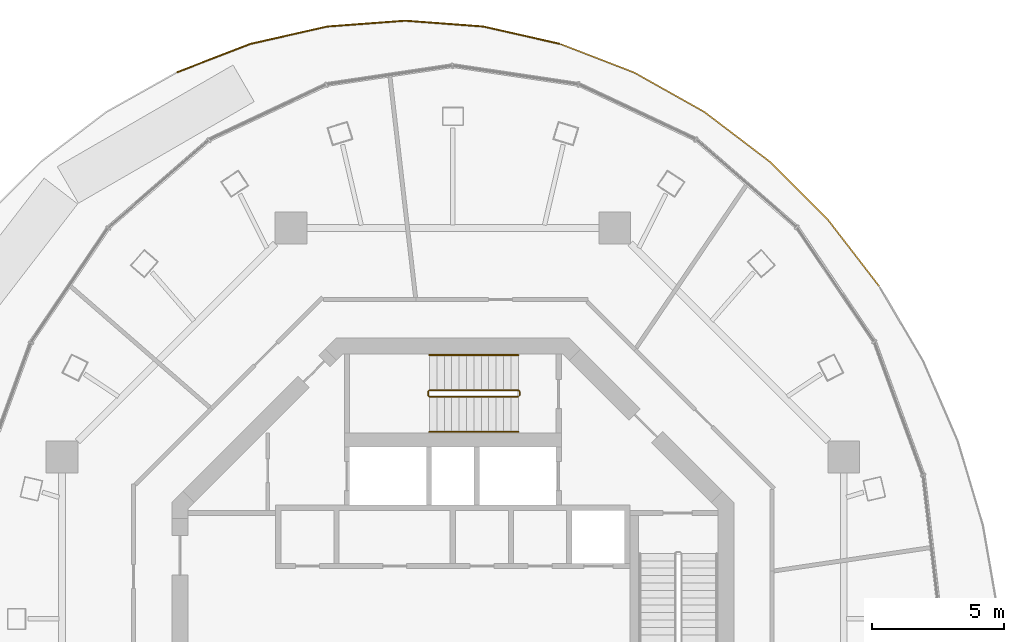
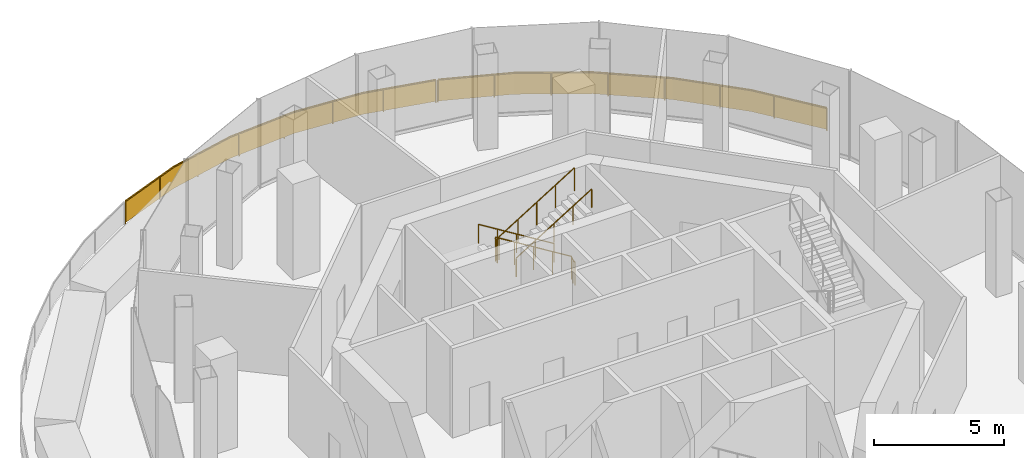
# One storey, part 11 of 12: 5 railings.
"""IFC4 building model written with IfcOpenShell, lengths in metres."""

from ifc_helpers import new_model, si_unit, direction, frame, origin, origin_2d, place, context, subcontext, project, spatial, polyline, rectangle, circle, outline, extrude, material, type_object, element, save


model = new_model("IFC4")

# Units and contexts
model_context = context("Model", 3, precision=1e-05, world=origin(), true_north=direction((0.0, 1.0)))
body_context = subcontext(model_context, "Body", "Model", "MODEL_VIEW")
ifc_project = project(units=[si_unit("LENGTHUNIT", "METRE"), si_unit("AREAUNIT", "SQUARE_METRE"), si_unit("VOLUMEUNIT", "CUBIC_METRE"), si_unit("PLANEANGLEUNIT", "RADIAN"), si_unit("MASSUNIT", "GRAM", prefix="KILO")], contexts=[model_context])

# Site, building, storey
site_placement = place(None, origin())
site = spatial("IfcSite", under=ifc_project, at=site_placement, CompositionType="ELEMENT")
building_placement = place(site_placement, origin())
building = spatial("IfcBuilding", under=site, at=building_placement, Name="Nagisa Residences", CompositionType="ELEMENT")
storey_placement = place(building_placement, frame((0.0, 0.0, 315.89990234375)))
storey = spatial("IfcBuildingStorey", under=building, at=storey_placement, Name="L78", CompositionType="ELEMENT", Elevation=315.89990234375)

# Railings
ifc_material_1 = material(Name="Stainless steel 316", Category="steel")
railing_type_1 = type_object("IfcRailingType", Name="ROOF GUARD 1100", PredefinedType="GUARDRAIL", material=ifc_material_1)
railing_1_placement = place(storey_placement, frame((16.121337890625, 12.58349609375, 0.0)))
element("IfcRailing", 1, at=railing_1_placement, inside=storey, type_object=railing_type_1, Name="guard:L78:garden01", PredefinedType="GUARDRAIL", context=body_context, shape_type="SweptSolid", body=[
    extrude(outline(polyline([(-1.9453125, 2.483154296875), (-0.019775390625, -0.015380859375), (0.019775390625, 0.015380859375), (-1.90771484375, 2.516357421875), (-4.134521484375, 4.738525390625), (-6.59765625, 6.611328125), (-9.25439453125, 8.102294921875), (-12.0205078125, 9.170654296875), (-12.03857421875, 9.123779296875), (-9.27587890625, 8.056884765625), (-6.625, 6.5693359375), (-4.167724609375, 4.700927734375), (-1.9453125, 2.483154296875)])), frame((0.0, 0.0, 1.050048828125)), (0.0, 0.0, 1.0), 0.050048828125),
    extrude(outline(polyline([(-1.931884765625, 2.4951171875), (-0.005615234375, -0.00439453125), (0.005615234375, 0.00439453125), (-1.921142578125, 2.50439453125), (-4.146484375, 4.72509765625), (-6.607421875, 6.59619140625), (-9.26220703125, 8.0859375), (-12.027099609375, 9.15380859375), (-12.031982421875, 9.140625), (-9.26806640625, 8.0732421875), (-6.615234375, 6.58447265625), (-4.15576171875, 4.71435546875), (-1.931884765625, 2.4951171875)])), frame((0.0, 0.0, 0.06005859375)), (0.0, 0.0, 1.0), 0.989990234375),
    extrude(rectangle(XDim=0.0400390625, YDim=0.0400390625, at=origin_2d()), origin(), (0.0, 0.0, 1.0), 1.050048828125),
    extrude(rectangle(XDim=0.0400390625, YDim=0.0400390625, at=origin_2d()), frame((-1.342529296875, 1.7421875, 0.0)), (0.0, 0.0, 1.0), 1.050048828125),
    extrude(rectangle(XDim=0.0400390625, YDim=0.0400390625, at=origin_2d()), frame((-2.80615234375, 3.377685546875, 0.0)), (0.0, 0.0, 1.0), 1.050048828125),
    extrude(rectangle(XDim=0.0400390625, YDim=0.0400390625, at=origin_2d()), frame((-4.389404296875, 4.90087890625, 0.0)), (0.0, 0.0, 1.0), 1.050048828125),
    extrude(rectangle(XDim=0.0400390625, YDim=0.0400390625, at=origin_2d()), frame((-6.140380859375, 6.232177734375, 0.0)), (0.0, 0.0, 1.0), 1.050048828125),
    extrude(rectangle(XDim=0.0400390625, YDim=0.0400390625, at=origin_2d()), frame((-8.013427734375, 7.377197265625, 0.0)), (0.0, 0.0, 1.0), 1.050048828125),
    extrude(rectangle(XDim=0.0400390625, YDim=0.0400390625, at=origin_2d()), frame((-9.977783203125, 8.354736328125, 0.0)), (0.0, 0.0, 1.0), 1.050048828125),
    extrude(rectangle(XDim=0.0400390625, YDim=0.0400390625, at=origin_2d()), frame((-12.029541015625, 9.147216796875, 0.0)), (0.0, 0.0, 1.0), 1.050048828125),
])
railing_2_placement = place(storey_placement, frame((4.015380859375, 21.754150390625, 0.0)))
element("IfcRailing", 2, at=railing_2_placement, inside=storey, type_object=railing_type_1, Name="guard:L78:garden02", PredefinedType="GUARDRAIL", context=body_context, shape_type="SweptSolid", body=[
    extrude(outline(polyline([(-2.866455078125, 0.623046875), (-0.005615234375, -0.0244140625), (0.005615234375, 0.0244140625), (-2.859130859375, 0.6728515625), (-5.8154296875, 0.893310546875), (-8.771484375, 0.6728515625), (-11.67724609375, 0.01513671875), (-14.443359375, -1.05322265625), (-14.42529296875, -1.10009765625), (-11.66259765625, -0.03271484375), (-8.76416015625, 0.623046875), (-5.8154296875, 0.843017578125), (-2.866455078125, 0.623046875)])), frame((0.0, 0.0, 1.050048828125)), (0.0, 0.0, 1.0), 0.050048828125),
    extrude(outline(polyline([(-2.86376953125, 0.64111328125), (-0.00146484375, -0.0068359375), (0.00146484375, 0.0068359375), (-2.86181640625, 0.65478515625), (-5.8154296875, 0.875244140625), (-8.768798828125, 0.65478515625), (-11.671875, -0.001953125), (-14.436767578125, -1.070068359375), (-14.431884765625, -1.083251953125), (-11.66796875, -0.015625), (-8.766845703125, 0.64111328125), (-5.8154296875, 0.861083984375), (-2.86376953125, 0.64111328125)])), frame((0.0, 0.0, 0.06005859375)), (0.0, 0.0, 1.0), 0.989990234375),
    extrude(rectangle(XDim=0.0400390625, YDim=0.0400390625, at=origin_2d()), origin(), (0.0, 0.0, 1.0), 1.050048828125),
    extrude(rectangle(XDim=0.0400390625, YDim=0.0400390625, at=origin_2d()), frame((-2.0615234375, 0.466552734375, 0.0)), (0.0, 0.0, 1.0), 1.050048828125),
    extrude(rectangle(XDim=0.0400390625, YDim=0.0400390625, at=origin_2d()), frame((-4.1513671875, 0.744140625, 0.0)), (0.0, 0.0, 1.0), 1.050048828125),
    extrude(rectangle(XDim=0.0400390625, YDim=0.0400390625, at=origin_2d()), frame((-6.259033203125, 0.8349609375, 0.0)), (0.0, 0.0, 1.0), 1.050048828125),
    extrude(rectangle(XDim=0.0400390625, YDim=0.0400390625, at=origin_2d()), frame((-8.366943359375, 0.677734375, 0.0)), (0.0, 0.0, 1.0), 1.050048828125),
    extrude(rectangle(XDim=0.0400390625, YDim=0.0400390625, at=origin_2d()), frame((-10.437255859375, 0.270263671875, 0.0)), (0.0, 0.0, 1.0), 1.050048828125),
    extrude(rectangle(XDim=0.0400390625, YDim=0.0400390625, at=origin_2d()), frame((-12.462646484375, -0.31494140625, 0.0)), (0.0, 0.0, 1.0), 1.050048828125),
    extrude(rectangle(XDim=0.0400390625, YDim=0.0400390625, at=origin_2d()), frame((-14.434326171875, -1.07666015625, 0.0)), (0.0, 0.0, 1.0), 1.050048828125),
])
ifc_material_2 = material(Name="Stainless steel", Category="steel")
railing_type_2 = type_object("IfcRailingType", Name="Stair guard 1100", PredefinedType="GUARDRAIL", material=ifc_material_2)
railing_3_placement = place(storey_placement, frame((2.52490234375, 8.44970703125, 0.0)))
element("IfcRailing", 3, at=railing_3_placement, inside=storey, type_object=railing_type_2, Name="L78 ST-N stair guard 1", PredefinedType="GUARDRAIL", context=body_context, shape_type="SweptSolid", body=[
    extrude(circle(Radius=0.02392578125, at=origin_2d()), frame((0.0, 0.0, 1.076171875), z_axis=(0.0, 1.0, 0.0), x_axis=(-1.0, 0.0, 0.0)), (0.0, 0.0, 1.0), 0.14990234375),
    extrude(circle(Radius=0.02392578125, at=origin_2d()), frame((0.0, 0.14990234375, 1.076171875), z_axis=(-0.266417085129, 0.267723051232, 0.925929967433), x_axis=(-0.708833529934, -0.705375805398, 0.0)), (0.0, 0.0, 1.0), 0.18701171875),
    extrude(circle(Radius=0.02392578125, at=origin_2d()), frame((-0.0498046875, 0.199951171875, 1.2490234375), z_axis=(-0.850623216509, 0.0, 0.525775754039), x_axis=(0.0, -1.0, 0.0)), (0.0, 0.0, 1.0), 3.9501953125),
    extrude(circle(Radius=0.02392578125, at=origin_2d()), frame((-3.409912109375, 0.199951171875, 3.326171875), z_axis=(-0.707106781187, -0.707106781187, 0.0), x_axis=(0.707106781187, -0.707106781187, 0.0)), (0.0, 0.0, 1.0), 0.07080078125),
    extrude(circle(Radius=0.02392578125, at=origin_2d()), frame((-3.4599609375, 0.14990234375, 3.326171875), z_axis=(0.0, -1.0, 0.0), x_axis=(1.0, 0.0, 0.0)), (0.0, 0.0, 1.0), 0.14990234375),
    extrude(circle(Radius=0.02392578125, at=origin_2d()), frame((-3.4599609375, 0.0, 3.326171875), z_axis=(0.267629722418, -0.267629722418, 0.925607186314), x_axis=(0.707106781187, 0.707106781187, 0.0)), (0.0, 0.0, 1.0), 0.18701171875),
    extrude(circle(Radius=0.02392578125, at=origin_2d()), frame((-3.409912109375, -0.050048828125, 3.4990234375), z_axis=(0.850623216509, 0.0, 0.525775754039), x_axis=(0.0, 1.0, 0.0)), (0.0, 0.0, 1.0), 3.9501953125),
    extrude(circle(Radius=0.02099609375, at=origin_2d()), origin(), (0.0, 0.0, 1.0), 1.052001953125),
    extrude(circle(Radius=0.02099609375, at=origin_2d()), frame((0.0, 0.14990234375, 0.0)), (0.0, 0.0, 1.0), 1.052001953125),
    extrude(circle(Radius=0.02099609375, at=origin_2d()), frame((-0.0498046875, 0.199951171875, 0.173095703125)), (0.0, 0.0, 1.0), 1.052001953125),
    extrude(circle(Radius=0.02099609375, at=origin_2d()), frame((-0.889892578125, 0.199951171875, 0.6923828125)), (0.0, 0.0, 1.0), 1.052001953125),
    extrude(circle(Radius=0.02099609375, at=origin_2d()), frame((-1.72998046875, 0.199951171875, 1.21142578125)), (0.0, 0.0, 1.0), 1.052001953125),
    extrude(circle(Radius=0.02099609375, at=origin_2d()), frame((-2.56982421875, 0.199951171875, 1.730712890625)), (0.0, 0.0, 1.0), 1.052001953125),
    extrude(circle(Radius=0.02099609375, at=origin_2d()), frame((-3.409912109375, 0.199951171875, 2.25)), (0.0, 0.0, 1.0), 1.052001953125),
    extrude(circle(Radius=0.02099609375, at=origin_2d()), frame((-3.4599609375, 0.14990234375, 2.25)), (0.0, 0.0, 1.0), 1.052001953125),
    extrude(circle(Radius=0.02099609375, at=origin_2d()), frame((-3.4599609375, 0.0, 2.25)), (0.0, 0.0, 1.0), 1.052001953125),
    extrude(circle(Radius=0.02099609375, at=origin_2d()), frame((-3.409912109375, -0.050048828125, 2.423095703125)), (0.0, 0.0, 1.0), 1.052001953125),
    extrude(circle(Radius=0.02099609375, at=origin_2d()), frame((-2.56982421875, -0.050048828125, 2.9423828125)), (0.0, 0.0, 1.0), 1.052001953125),
    extrude(circle(Radius=0.02099609375, at=origin_2d()), frame((-1.72998046875, -0.050048828125, 3.46142578125)), (0.0, 0.0, 1.0), 1.052001953125),
    extrude(circle(Radius=0.02099609375, at=origin_2d()), frame((-0.889892578125, -0.050048828125, 3.980712890625)), (0.0, 0.0, 1.0), 1.052001953125),
    extrude(circle(Radius=0.02099609375, at=origin_2d()), frame((-0.0498046875, -0.050048828125, 4.5)), (0.0, 0.0, 1.0), 1.052001953125),
])
ifc_material_3 = material(Name="Stainless steel", Category="steel")
railing_type_3 = type_object("IfcRailingType", Name="Stair handrail 900", PredefinedType="HANDRAIL", material=ifc_material_3)
railing_4_placement = place(storey_placement, frame((2.47509765625, 9.974609375, 0.173095703125)))
element("IfcRailing", 4, at=railing_4_placement, inside=storey, type_object=railing_type_3, Name="L78 ST-N stair handrail 1", PredefinedType="HANDRAIL", context=body_context, shape_type="SweptSolid", body=[
    extrude(circle(Radius=0.02392578125, at=origin_2d()), frame((0.0, 0.0, 0.8759765625), z_axis=(-0.850623216509, 0.0, 0.525775754039), x_axis=(0.0, -1.0, 0.0)), (0.0, 0.0, 1.0), 3.9501953125),
    extrude(circle(Radius=0.02099609375, at=origin_2d()), origin(), (0.0, 0.0, 1.0), 0.851806640625),
    extrude(circle(Radius=0.02099609375, at=origin_2d()), frame((-0.840087890625, 0.0, 0.519287109375)), (0.0, 0.0, 1.0), 0.851806640625),
    extrude(circle(Radius=0.02099609375, at=origin_2d()), frame((-1.68017578125, 0.0, 1.03857421875)), (0.0, 0.0, 1.0), 0.851806640625),
    extrude(circle(Radius=0.02099609375, at=origin_2d()), frame((-2.52001953125, 0.0, 1.5576171875)), (0.0, 0.0, 1.0), 0.851806640625),
    extrude(circle(Radius=0.02099609375, at=origin_2d()), frame((-3.360107421875, 0.0, 2.076904296875)), (0.0, 0.0, 1.0), 0.851806640625),
])
railing_5_placement = place(storey_placement, frame((-0.885009765625, 7.07470703125, 2.423095703125)))
element("IfcRailing", 5, at=railing_5_placement, inside=storey, type_object=railing_type_3, Name="L78 ST-N stair handrail 2", PredefinedType="HANDRAIL", context=body_context, shape_type="SweptSolid", body=[
    extrude(circle(Radius=0.02392578125, at=origin_2d()), frame((0.0, 0.0, 0.8759765625), z_axis=(0.850623216509, 0.0, 0.525775754039), x_axis=(0.0, 1.0, 0.0)), (0.0, 0.0, 1.0), 3.9501953125),
    extrude(circle(Radius=0.02099609375, at=origin_2d()), origin(), (0.0, 0.0, 1.0), 0.851806640625),
    extrude(circle(Radius=0.02099609375, at=origin_2d()), frame((0.840087890625, 0.0, 0.519287109375)), (0.0, 0.0, 1.0), 0.851806640625),
    extrude(circle(Radius=0.02099609375, at=origin_2d()), frame((1.68017578125, 0.0, 1.03857421875)), (0.0, 0.0, 1.0), 0.851806640625),
    extrude(circle(Radius=0.02099609375, at=origin_2d()), frame((2.52001953125, 0.0, 1.5576171875)), (0.0, 0.0, 1.0), 0.851806640625),
    extrude(circle(Radius=0.02099609375, at=origin_2d()), frame((3.360107421875, 0.0, 2.076904296875)), (0.0, 0.0, 1.0), 0.851806640625),
])

save(model, "model.ifc")
